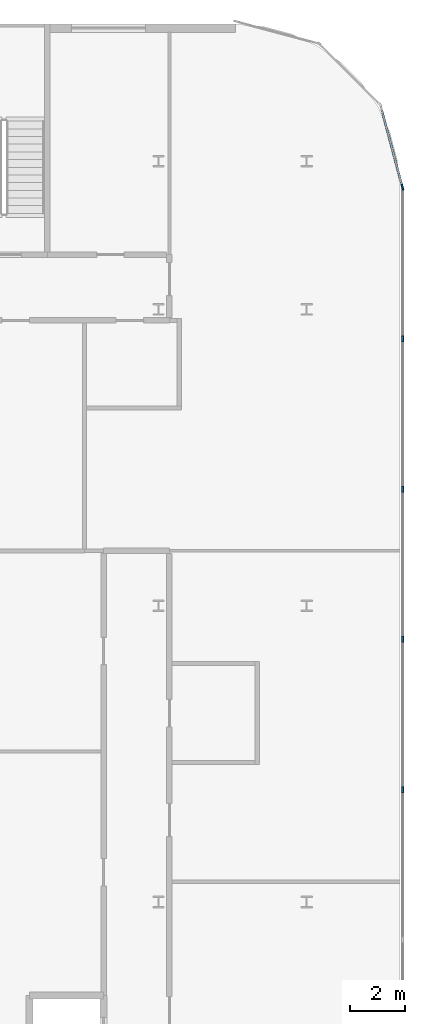
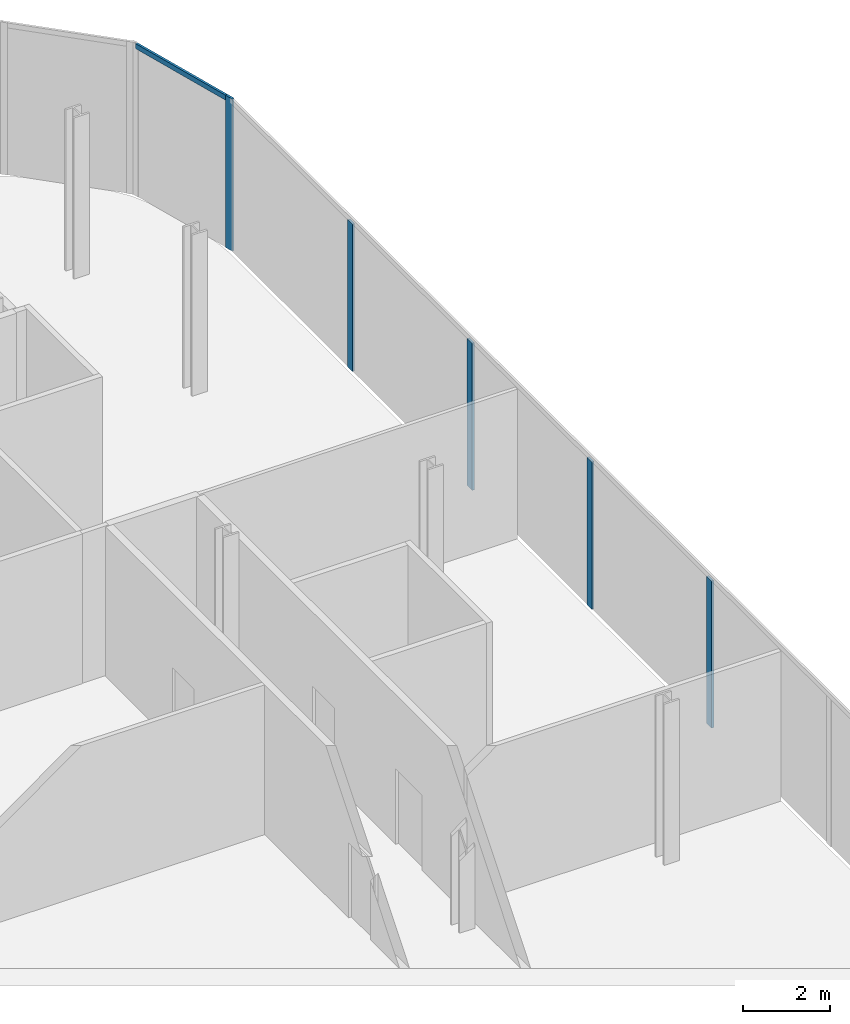
# One storey, part 21 of 47: 6 members, 2 elements without a shape of their own.
"""IFC4 building model written with IfcOpenShell, lengths in metres."""

import ifcopenshell
import ifcopenshell.guid

model = None  # the IFC model being written
_history = None  # IfcOwnerHistory: only IFC2X3 demands one
_inside = {}  # id of a spatial element -> (the spatial element, [elements in it])
_under = {}  # id of a project, library or spatial element -> (it, [spatial elements below it])
_declared = {}  # id of a project -> (the project, [libraries it declares])
_typed = {}  # id of a type object -> (the type object, [elements of that type])
_made_of = {}  # id of a material, layer set ... -> (it, [elements and type objects made of it])


def new_model(schema):
    """Start an empty IFC model of exactly this schema.

    Asked for "IFC4X3", IfcOpenShell would pick the latest addendum, in which some entities
    have other attributes; the version numbers below select the first issue.
    IFC2X3 requires an IfcOwnerHistory on every rooted entity: one is made here for all.
    """
    global model, _history
    if schema == "IFC4X3":
        model = ifcopenshell.file(schema_version=(4, 3, 0, 0))
    else:
        model = ifcopenshell.file(schema=schema)
    _inside.clear()
    _under.clear()
    _declared.clear()
    _typed.clear()
    _made_of.clear()
    _history = None
    if model.schema == "IFC2X3":
        org = make("IfcOrganization", Name="unknown")
        user = make(
            "IfcPersonAndOrganization",
            ThePerson=make("IfcPerson", FamilyName="unknown"),
            TheOrganization=org,
        )
        app = make(
            "IfcApplication",
            ApplicationDeveloper=org,
            Version="unknown",
            ApplicationFullName="unknown",
            ApplicationIdentifier="unknown",
        )
        _history = make(
            "IfcOwnerHistory",
            OwningUser=user,
            OwningApplication=app,
            ChangeAction="ADDED",
            CreationDate=0,
        )
    return model


def make(cls, **values):
    """One entity of the class cls with the attributes given. An attribute that is None is left unset."""
    return model.create_entity(
        cls, **{name: value for name, value in values.items() if value is not None}
    )


def rooted(cls, **values):
    """An entity with a GlobalId (a new one), such as an element, a storey or a relation."""
    return make(cls, GlobalId=ifcopenshell.guid.new(), OwnerHistory=_history, **values)


def si_unit(unit_type, name, prefix=None):
    """IfcSIUnit, for example si_unit("LENGTHUNIT", "METRE", prefix="MILLI")."""
    return make("IfcSIUnit", UnitType=unit_type, Prefix=prefix, Name=name)


def assignment(units):
    """IfcUnitAssignment: the units of a project."""
    return None if units is None else make("IfcUnitAssignment", Units=units)


def point(xyz):
    """IfcCartesianPoint."""
    return None if xyz is None else make("IfcCartesianPoint", Coordinates=xyz)


def direction(xyz):
    """IfcDirection."""
    return None if xyz is None else make("IfcDirection", DirectionRatios=xyz)


def frame(location, z_axis=None, x_axis=None):
    """IfcAxis2Placement3D, a coordinate frame: its origin and axes. An axis left out is left unset."""
    return make(
        "IfcAxis2Placement3D",
        Location=point(location),
        Axis=direction(z_axis),
        RefDirection=direction(x_axis),
    )


def frame_2d(location, x_axis=None):
    """IfcAxis2Placement2D, a coordinate frame in the plane: its origin and x axis."""
    return make(
        "IfcAxis2Placement2D", Location=point(location), RefDirection=direction(x_axis)
    )


def origin():
    """The frame at (0, 0, 0) with its axes left unset."""
    return frame((0.0, 0.0, 0.0))


def origin_2d():
    """The frame at (0, 0) in the plane with its x axis left unset."""
    return frame_2d((0.0, 0.0))


def place(relative_to, where):
    """IfcLocalPlacement: puts the frame where relative to a parent placement (None: the world)."""
    return make(
        "IfcLocalPlacement", PlacementRelTo=relative_to, RelativePlacement=where
    )


def context(
    kind, dimensions, precision=None, world=None, true_north=None, identifier=None
):
    """IfcGeometricRepresentationContext, for example the 3D "Model" context."""
    return make(
        "IfcGeometricRepresentationContext",
        ContextIdentifier=identifier,
        ContextType=kind,
        CoordinateSpaceDimension=dimensions,
        Precision=precision,
        WorldCoordinateSystem=world,
        TrueNorth=true_north,
    )


def subcontext(parent, identifier, kind, view, scale=None):
    """IfcGeometricRepresentationSubContext, for example "Body" below "Model"."""
    return make(
        "IfcGeometricRepresentationSubContext",
        ContextIdentifier=identifier,
        ContextType=kind,
        ParentContext=parent,
        TargetScale=scale,
        TargetView=view,
    )


def project(units=None, contexts=None):
    """IfcProject with its units and contexts."""
    return rooted(
        "IfcProject",
        Name="project",
        RepresentationContexts=contexts,
        UnitsInContext=assignment(units),
    )


def spatial(cls, under=None, at=None, **own):
    """A site, building, storey or space (cls), placed at a placement, below another one or the project."""
    s = rooted(cls, ObjectPlacement=at, **own)
    if under is not None:
        _under.setdefault(under.id(), (under, []))[1].append(s)
    return s


def profile(cls, at=None, kind="AREA", **sizes):
    """A parametric profile (cls). Its sizes go by their IFC names, for example OverallWidth=200.0."""
    return make(cls, ProfileType=kind, Position=at, **sizes)


def rectangle(**sizes):
    """IfcRectangleProfileDef."""
    return profile("IfcRectangleProfileDef", **sizes)


def extrude(swept, where, along, depth):
    """IfcExtrudedAreaSolid: the profile swept, set in the frame where, extruded along a direction by depth."""
    return make(
        "IfcExtrudedAreaSolid",
        SweptArea=swept,
        Position=where,
        ExtrudedDirection=direction(along),
        Depth=depth,
    )


def shape(context_of_items, identifier, shape_type, items):
    """IfcShapeRepresentation: the items that make up one representation, for example the "Body"."""
    return make(
        "IfcShapeRepresentation",
        ContextOfItems=context_of_items,
        RepresentationIdentifier=identifier,
        RepresentationType=shape_type,
        Items=items,
    )


def material(Name=None, Category=None):
    """IfcMaterial."""
    return make("IfcMaterial", Name=Name, Category=Category)


def layer(
    of_material, thickness, ventilated=None, Name=None, Category=None, Priority=None
):
    """IfcMaterialLayer: one layer of a wall or slab, of a material (None: an air gap)."""
    return make(
        "IfcMaterialLayer",
        Material=of_material,
        LayerThickness=thickness,
        IsVentilated=ventilated,
        Name=Name,
        Category=Category,
        Priority=Priority,
    )


def layer_set(layers, Name=None):
    """IfcMaterialLayerSet."""
    return make("IfcMaterialLayerSet", MaterialLayers=layers, LayerSetName=Name)


def material_profile(
    of_material, cross_section, Name=None, Category=None, Priority=None
):
    """IfcMaterialProfile: a cross section and its material."""
    return make(
        "IfcMaterialProfile",
        Name=Name,
        Material=of_material,
        Profile=cross_section,
        Priority=Priority,
        Category=Category,
    )


def profile_set(profiles, Name=None, composite=None):
    """IfcMaterialProfileSet."""
    return make(
        "IfcMaterialProfileSet",
        Name=Name,
        MaterialProfiles=profiles,
        CompositeProfile=composite,
    )


def made_of(thing, what):
    """Note that an element or type object is made of a material, layer set ...; save() writes the relation."""
    if what is not None:
        _made_of.setdefault(what.id(), (what, []))[1].append(thing)
    return thing


def type_object(cls, material=None, **own):
    """A type object (cls), such as IfcWallType, which elements share."""
    return made_of(rooted(cls, **own), material)


def element(
    cls,
    number,
    at=None,
    inside=None,
    cuts=None,
    type_object=None,
    material=None,
    context=None,
    identifier="Body",
    shape_type=None,
    held_by="IfcProductDefinitionShape",
    body=None,
    shapes=None,
    **own,
):
    """One element of the class cls, such as IfcWall. Its Tag is "e" and its number.

    at: its placement. inside: the storey or other place that contains it. cuts: it is an
    opening in that element (IfcRelVoidsElement). A single representation is given by context,
    identifier, shape_type and body (its items); several are given by shapes. held_by: the class
    of the entity that holds the representations. save() writes the other relations.
    """
    e = rooted(cls, Tag="e%d" % number, ObjectPlacement=at, **own)
    if body is not None:
        shapes = [shape(context, identifier, shape_type, body)]
    if shapes is not None:
        e.Representation = make(held_by, Representations=shapes)
    if inside is not None:
        _inside.setdefault(inside.id(), (inside, []))[1].append(e)
    if cuts is not None:
        rooted(
            "IfcRelVoidsElement", RelatingBuildingElement=cuts, RelatedOpeningElement=e
        )
    if type_object is not None:
        _typed.setdefault(type_object.id(), (type_object, []))[1].append(e)
    return made_of(e, material)


def aggregate(whole, parts):
    """IfcRelAggregates: a whole, such as a stair, and the parts it consists of."""
    return rooted("IfcRelAggregates", RelatingObject=whole, RelatedObjects=parts)


def save(model, path):
    """Write the relations noted so far, then the file.

    IfcRelAggregates (storeys below a building ...), IfcRelContainedInSpatialStructure (elements
    in a storey), IfcRelDefinesByType, IfcRelAssociatesMaterial and IfcRelDeclares: one each for
    every whole, place, type object, material and project.
    """
    for whole, parts in _under.values():
        aggregate(whole, parts)
    for where, things in _inside.values():
        rooted(
            "IfcRelContainedInSpatialStructure",
            RelatedElements=things,
            RelatingStructure=where,
        )
    for kind, things in _typed.values():
        rooted("IfcRelDefinesByType", RelatedObjects=things, RelatingType=kind)
    for what, things in _made_of.values():
        rooted("IfcRelAssociatesMaterial", RelatedObjects=things, RelatingMaterial=what)
    for by, libraries in _declared.values():
        rooted("IfcRelDeclares", RelatingContext=by, RelatedDefinitions=libraries)
    model.write(path)


model = new_model("IFC4")

# Units and contexts
model_context = context("Model", 3, precision=1e-05, world=origin(), true_north=direction((0.0, 1.0)))
body_context = subcontext(model_context, "Body", "Model", "MODEL_VIEW")
ifc_project = project(units=[si_unit("LENGTHUNIT", "METRE"), si_unit("AREAUNIT", "SQUARE_METRE"), si_unit("VOLUMEUNIT", "CUBIC_METRE"), si_unit("PLANEANGLEUNIT", "RADIAN"), si_unit("MASSUNIT", "GRAM", prefix="KILO")], contexts=[model_context])

# Site, building, storey
site_placement = place(None, origin())
site = spatial("IfcSite", under=ifc_project, at=site_placement, CompositionType="ELEMENT")
building_placement = place(site_placement, origin())
building = spatial("IfcBuilding", under=site, at=building_placement, Name="Kheshtan School and Residences Tower", CompositionType="ELEMENT")
storey_placement = place(building_placement, frame((0.0, 0.0, 12.5)))
storey = spatial("IfcBuildingStorey", under=building, at=storey_placement, Name="L02", CompositionType="ELEMENT", Elevation=12.5)

# Curtain wall, member
ifc_material_1 = material(Name="Clear low-e glass in thermally broken aluminium frame", Category="aluminium")
ifc_layer = layer(ifc_material_1, 0.22509765625)
ifc_layer_set = layer_set([ifc_layer], Name="Curtain wall CW-P")
curtain_wall_type = type_object("IfcCurtainWallType", Name="Curtain wall CW-P", PredefinedType="NOTDEFINED", material=ifc_layer_set)
curtain_wall_1_placement = place(storey_placement, origin())
curtain_wall_1 = element("IfcCurtainWall", 1, at=curtain_wall_1_placement, inside=storey, type_object=curtain_wall_type, Name="Curtain wall CWP7a", PredefinedType="NOTDEFINED")
ifc_material_2 = material(Name="Thermally broken aluminium, dark bronze anodised", Category="aluminium")
ifc_material_profile_1 = material_profile(ifc_material_2, rectangle(XDim=0.06005859375, YDim=0.22509765625, at=origin_2d()), Name="CW-P mullion 60x225")
ifc_profile_set_1 = profile_set([ifc_material_profile_1], Name="Thermally broken aluminium, dark bronze anodised")
member_type_1 = type_object("IfcMemberType", Name="CW-P mullion 60x225", PredefinedType="MULLION", material=ifc_profile_set_1)
member_1_placement = place(storey_placement, frame((132.0888671875, 104.054931640625, 0.0), z_axis=(0.0, 0.0, 1.0), x_axis=(0.965913556273, 0.258864833085, 0.0)))
member_1 = element("IfcMember", 2, at=member_1_placement, type_object=member_type_1, Name="CWP7a mullion 2", PredefinedType="MULLION", context=body_context, shape_type="SweptSolid", body=[
    extrude(rectangle(XDim=0.06005859375, YDim=0.22509765625, at=origin_2d()), origin(), (0.0, 0.0, 1.0), 4.25),
])

# Curtain wall, members
curtain_wall_2_placement = place(storey_placement, origin())
curtain_wall_2 = element("IfcCurtainWall", 3, at=curtain_wall_2_placement, inside=storey, type_object=curtain_wall_type, Name="Curtain wall CWP8a", PredefinedType="NOTDEFINED")
member_2_placement = place(storey_placement, frame((132.10009765625, 98.5244140625, 0.0), z_axis=(0.0, 0.0, 1.0), x_axis=(1.0, 0.0, 0.0)))
member_2 = element("IfcMember", 4, at=member_2_placement, type_object=member_type_1, Name="CWP8a mullion 2", PredefinedType="MULLION", context=body_context, shape_type="SweptSolid", body=[
    extrude(rectangle(XDim=0.06005859375, YDim=0.22509765625, at=origin_2d()), origin(), (0.0, 0.0, 1.0), 4.110107421875),
])
member_3_placement = place(storey_placement, frame((132.10009765625, 93.048828125, 0.0), z_axis=(0.0, 0.0, 1.0), x_axis=(1.0, 0.0, 0.0)))
member_3 = element("IfcMember", 5, at=member_3_placement, type_object=member_type_1, Name="CWP8a mullion 3", PredefinedType="MULLION", context=body_context, shape_type="SweptSolid", body=[
    extrude(rectangle(XDim=0.06005859375, YDim=0.22509765625, at=origin_2d()), origin(), (0.0, 0.0, 1.0), 4.110107421875),
])
member_4_placement = place(storey_placement, frame((132.10009765625, 87.5732421875, 0.0), z_axis=(0.0, 0.0, 1.0), x_axis=(1.0, 0.0, 0.0)))
member_4 = element("IfcMember", 6, at=member_4_placement, type_object=member_type_1, Name="CWP8a mullion 4", PredefinedType="MULLION", context=body_context, shape_type="SweptSolid", body=[
    extrude(rectangle(XDim=0.06005859375, YDim=0.22509765625, at=origin_2d()), origin(), (0.0, 0.0, 1.0), 4.110107421875),
])
member_5_placement = place(storey_placement, frame((132.10009765625, 82.09765625, 0.0), z_axis=(0.0, 0.0, 1.0), x_axis=(1.0, 0.0, 0.0)))
member_5 = element("IfcMember", 7, at=member_5_placement, type_object=member_type_1, Name="CWP8a mullion 5", PredefinedType="MULLION", context=body_context, shape_type="SweptSolid", body=[
    extrude(rectangle(XDim=0.06005859375, YDim=0.22509765625, at=origin_2d()), origin(), (0.0, 0.0, 1.0), 4.110107421875),
])
aggregate(curtain_wall_2, [member_2, member_3, member_4, member_5])

# Member
ifc_material_profile_2 = material_profile(ifc_material_2, rectangle(XDim=0.06005859375, YDim=0.139892578125, at=origin_2d()), Name="CW-P transom 60x140")
ifc_profile_set_2 = profile_set([ifc_material_profile_2], Name="Thermally broken aluminium, dark bronze anodised")
member_type_2 = type_object("IfcMemberType", Name="CW-P transom 60x140", PredefinedType="USERDEFINED", material=ifc_profile_set_2)
member_6_placement = place(storey_placement, frame((131.30810546875, 106.968017578125, 4.179931640625), z_axis=(0.258853238275, -0.965916663607, 0.0), x_axis=(0.965916663607, 0.258853238275, 0.0)))
member_6 = element("IfcMember", 8, at=member_6_placement, type_object=member_type_2, Name="CWP7a transom 1", ObjectType="TRANSOM", PredefinedType="USERDEFINED", context=body_context, shape_type="SweptSolid", body=[
    extrude(rectangle(XDim=0.06005859375, YDim=0.139892578125, at=origin_2d()), origin(), (0.0, 0.0, 1.0), 2.986083984375),
])

aggregate(curtain_wall_1, [member_1, member_6])

save(model, "model.ifc")
